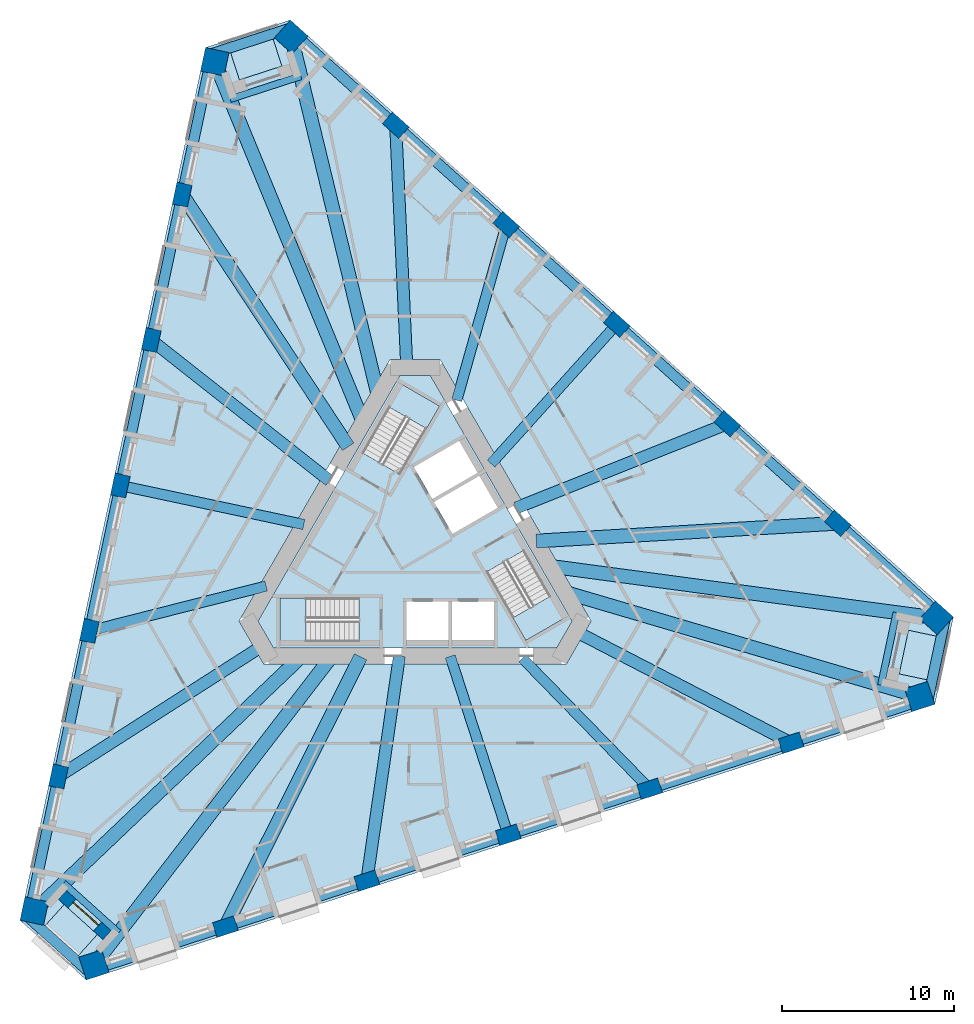
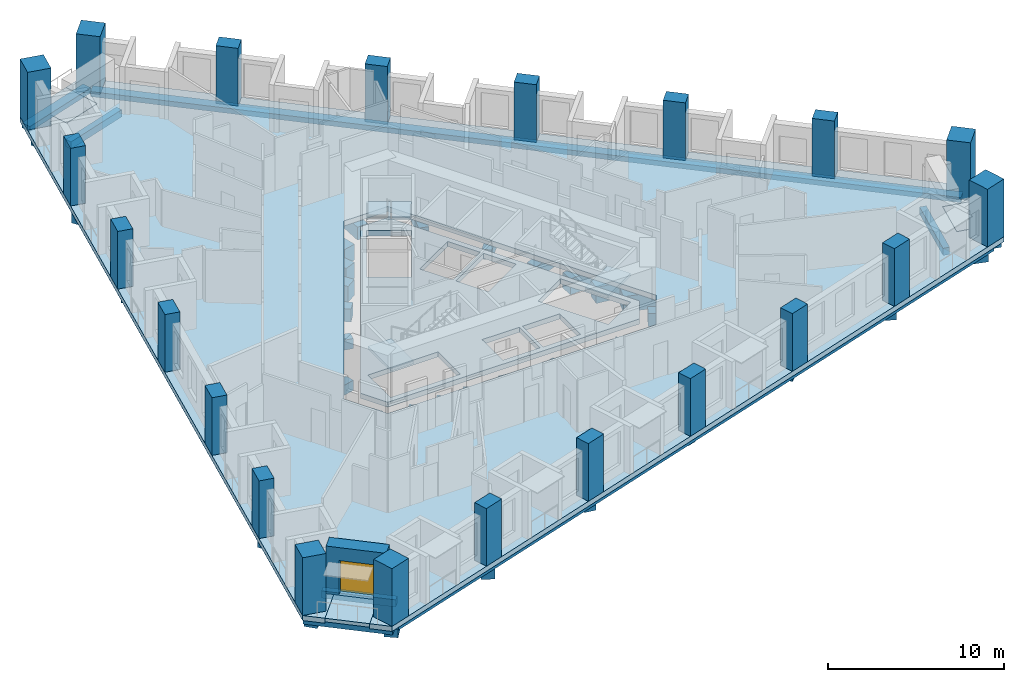
# One storey, part 1 of 13: 30 beams, 21 columns, 8 slabs, 1 door, 1 wall, 1 opening, 3 elements without a shape of their own.
"""IFC4 building model written with IfcOpenShell, lengths in metres."""

import ifcopenshell
import ifcopenshell.guid

model = None  # the IFC model being written
_history = None  # IfcOwnerHistory: only IFC2X3 demands one
_inside = {}  # id of a spatial element -> (the spatial element, [elements in it])
_under = {}  # id of a project, library or spatial element -> (it, [spatial elements below it])
_declared = {}  # id of a project -> (the project, [libraries it declares])
_typed = {}  # id of a type object -> (the type object, [elements of that type])
_made_of = {}  # id of a material, layer set ... -> (it, [elements and type objects made of it])


def new_model(schema):
    """Start an empty IFC model of exactly this schema.

    Asked for "IFC4X3", IfcOpenShell would pick the latest addendum, in which some entities
    have other attributes; the version numbers below select the first issue.
    IFC2X3 requires an IfcOwnerHistory on every rooted entity: one is made here for all.
    """
    global model, _history
    if schema == "IFC4X3":
        model = ifcopenshell.file(schema_version=(4, 3, 0, 0))
    else:
        model = ifcopenshell.file(schema=schema)
    _inside.clear()
    _under.clear()
    _declared.clear()
    _typed.clear()
    _made_of.clear()
    _history = None
    if model.schema == "IFC2X3":
        org = make("IfcOrganization", Name="unknown")
        user = make(
            "IfcPersonAndOrganization",
            ThePerson=make("IfcPerson", FamilyName="unknown"),
            TheOrganization=org,
        )
        app = make(
            "IfcApplication",
            ApplicationDeveloper=org,
            Version="unknown",
            ApplicationFullName="unknown",
            ApplicationIdentifier="unknown",
        )
        _history = make(
            "IfcOwnerHistory",
            OwningUser=user,
            OwningApplication=app,
            ChangeAction="ADDED",
            CreationDate=0,
        )
    return model


def make(cls, **values):
    """One entity of the class cls with the attributes given. An attribute that is None is left unset."""
    return model.create_entity(
        cls, **{name: value for name, value in values.items() if value is not None}
    )


def rooted(cls, **values):
    """An entity with a GlobalId (a new one), such as an element, a storey or a relation."""
    return make(cls, GlobalId=ifcopenshell.guid.new(), OwnerHistory=_history, **values)


def si_unit(unit_type, name, prefix=None):
    """IfcSIUnit, for example si_unit("LENGTHUNIT", "METRE", prefix="MILLI")."""
    return make("IfcSIUnit", UnitType=unit_type, Prefix=prefix, Name=name)


def assignment(units):
    """IfcUnitAssignment: the units of a project."""
    return None if units is None else make("IfcUnitAssignment", Units=units)


def point(xyz):
    """IfcCartesianPoint."""
    return None if xyz is None else make("IfcCartesianPoint", Coordinates=xyz)


def direction(xyz):
    """IfcDirection."""
    return None if xyz is None else make("IfcDirection", DirectionRatios=xyz)


def frame(location, z_axis=None, x_axis=None):
    """IfcAxis2Placement3D, a coordinate frame: its origin and axes. An axis left out is left unset."""
    return make(
        "IfcAxis2Placement3D",
        Location=point(location),
        Axis=direction(z_axis),
        RefDirection=direction(x_axis),
    )


def frame_2d(location, x_axis=None):
    """IfcAxis2Placement2D, a coordinate frame in the plane: its origin and x axis."""
    return make(
        "IfcAxis2Placement2D", Location=point(location), RefDirection=direction(x_axis)
    )


def origin():
    """The frame at (0, 0, 0) with its axes left unset."""
    return frame((0.0, 0.0, 0.0))


def origin_2d():
    """The frame at (0, 0) in the plane with its x axis left unset."""
    return frame_2d((0.0, 0.0))


def place(relative_to, where):
    """IfcLocalPlacement: puts the frame where relative to a parent placement (None: the world)."""
    return make(
        "IfcLocalPlacement", PlacementRelTo=relative_to, RelativePlacement=where
    )


def context(
    kind, dimensions, precision=None, world=None, true_north=None, identifier=None
):
    """IfcGeometricRepresentationContext, for example the 3D "Model" context."""
    return make(
        "IfcGeometricRepresentationContext",
        ContextIdentifier=identifier,
        ContextType=kind,
        CoordinateSpaceDimension=dimensions,
        Precision=precision,
        WorldCoordinateSystem=world,
        TrueNorth=true_north,
    )


def subcontext(parent, identifier, kind, view, scale=None):
    """IfcGeometricRepresentationSubContext, for example "Body" below "Model"."""
    return make(
        "IfcGeometricRepresentationSubContext",
        ContextIdentifier=identifier,
        ContextType=kind,
        ParentContext=parent,
        TargetScale=scale,
        TargetView=view,
    )


def project(units=None, contexts=None):
    """IfcProject with its units and contexts."""
    return rooted(
        "IfcProject",
        Name="project",
        RepresentationContexts=contexts,
        UnitsInContext=assignment(units),
    )


def spatial(cls, under=None, at=None, **own):
    """A site, building, storey or space (cls), placed at a placement, below another one or the project."""
    s = rooted(cls, ObjectPlacement=at, **own)
    if under is not None:
        _under.setdefault(under.id(), (under, []))[1].append(s)
    return s


def polyline(points):
    """IfcPolyline through the points."""
    return make("IfcPolyline", Points=[point(p) for p in points])


def profile(cls, at=None, kind="AREA", **sizes):
    """A parametric profile (cls). Its sizes go by their IFC names, for example OverallWidth=200.0."""
    return make(cls, ProfileType=kind, Position=at, **sizes)


def rectangle(**sizes):
    """IfcRectangleProfileDef."""
    return profile("IfcRectangleProfileDef", **sizes)


def outline(outer, holes=None, kind="AREA"):
    """IfcArbitraryClosedProfileDef: a profile drawn as a closed curve; with holes, ...WithVoids."""
    if holes is None:
        return make("IfcArbitraryClosedProfileDef", ProfileType=kind, OuterCurve=outer)
    return make(
        "IfcArbitraryProfileDefWithVoids",
        ProfileType=kind,
        OuterCurve=outer,
        InnerCurves=holes,
    )


def extrude(swept, where, along, depth):
    """IfcExtrudedAreaSolid: the profile swept, set in the frame where, extruded along a direction by depth."""
    return make(
        "IfcExtrudedAreaSolid",
        SweptArea=swept,
        Position=where,
        ExtrudedDirection=direction(along),
        Depth=depth,
    )


def shape(context_of_items, identifier, shape_type, items):
    """IfcShapeRepresentation: the items that make up one representation, for example the "Body"."""
    return make(
        "IfcShapeRepresentation",
        ContextOfItems=context_of_items,
        RepresentationIdentifier=identifier,
        RepresentationType=shape_type,
        Items=items,
    )


def material(Name=None, Category=None):
    """IfcMaterial."""
    return make("IfcMaterial", Name=Name, Category=Category)


def layer(
    of_material, thickness, ventilated=None, Name=None, Category=None, Priority=None
):
    """IfcMaterialLayer: one layer of a wall or slab, of a material (None: an air gap)."""
    return make(
        "IfcMaterialLayer",
        Material=of_material,
        LayerThickness=thickness,
        IsVentilated=ventilated,
        Name=Name,
        Category=Category,
        Priority=Priority,
    )


def layer_set(layers, Name=None):
    """IfcMaterialLayerSet."""
    return make("IfcMaterialLayerSet", MaterialLayers=layers, LayerSetName=Name)


def material_profile(
    of_material, cross_section, Name=None, Category=None, Priority=None
):
    """IfcMaterialProfile: a cross section and its material."""
    return make(
        "IfcMaterialProfile",
        Name=Name,
        Material=of_material,
        Profile=cross_section,
        Priority=Priority,
        Category=Category,
    )


def profile_set(profiles, Name=None, composite=None):
    """IfcMaterialProfileSet."""
    return make(
        "IfcMaterialProfileSet",
        Name=Name,
        MaterialProfiles=profiles,
        CompositeProfile=composite,
    )


def made_of(thing, what):
    """Note that an element or type object is made of a material, layer set ...; save() writes the relation."""
    if what is not None:
        _made_of.setdefault(what.id(), (what, []))[1].append(thing)
    return thing


def type_object(cls, material=None, **own):
    """A type object (cls), such as IfcWallType, which elements share."""
    return made_of(rooted(cls, **own), material)


def element(
    cls,
    number,
    at=None,
    inside=None,
    cuts=None,
    type_object=None,
    material=None,
    context=None,
    identifier="Body",
    shape_type=None,
    held_by="IfcProductDefinitionShape",
    body=None,
    shapes=None,
    **own,
):
    """One element of the class cls, such as IfcWall. Its Tag is "e" and its number.

    at: its placement. inside: the storey or other place that contains it. cuts: it is an
    opening in that element (IfcRelVoidsElement). A single representation is given by context,
    identifier, shape_type and body (its items); several are given by shapes. held_by: the class
    of the entity that holds the representations. save() writes the other relations.
    """
    e = rooted(cls, Tag="e%d" % number, ObjectPlacement=at, **own)
    if body is not None:
        shapes = [shape(context, identifier, shape_type, body)]
    if shapes is not None:
        e.Representation = make(held_by, Representations=shapes)
    if inside is not None:
        _inside.setdefault(inside.id(), (inside, []))[1].append(e)
    if cuts is not None:
        rooted(
            "IfcRelVoidsElement", RelatingBuildingElement=cuts, RelatedOpeningElement=e
        )
    if type_object is not None:
        _typed.setdefault(type_object.id(), (type_object, []))[1].append(e)
    return made_of(e, material)


def fill(opening, filler):
    """IfcRelFillsElement: the door or window that sits in an opening."""
    return rooted(
        "IfcRelFillsElement",
        RelatingOpeningElement=opening,
        RelatedBuildingElement=filler,
    )


def aggregate(whole, parts):
    """IfcRelAggregates: a whole, such as a stair, and the parts it consists of."""
    return rooted("IfcRelAggregates", RelatingObject=whole, RelatedObjects=parts)


def save(model, path):
    """Write the relations noted so far, then the file.

    IfcRelAggregates (storeys below a building ...), IfcRelContainedInSpatialStructure (elements
    in a storey), IfcRelDefinesByType, IfcRelAssociatesMaterial and IfcRelDeclares: one each for
    every whole, place, type object, material and project.
    """
    for whole, parts in _under.values():
        aggregate(whole, parts)
    for where, things in _inside.values():
        rooted(
            "IfcRelContainedInSpatialStructure",
            RelatedElements=things,
            RelatingStructure=where,
        )
    for kind, things in _typed.values():
        rooted("IfcRelDefinesByType", RelatedObjects=things, RelatingType=kind)
    for what, things in _made_of.values():
        rooted("IfcRelAssociatesMaterial", RelatedObjects=things, RelatingMaterial=what)
    for by, libraries in _declared.values():
        rooted("IfcRelDeclares", RelatingContext=by, RelatedDefinitions=libraries)
    model.write(path)


model = new_model("IFC4")

# Units and contexts
model_context = context("Model", 3, precision=1e-05, world=origin(), true_north=direction((0.0, 1.0)))
body_context = subcontext(model_context, "Body", "Model", "MODEL_VIEW")
ifc_project = project(units=[si_unit("LENGTHUNIT", "METRE"), si_unit("AREAUNIT", "SQUARE_METRE"), si_unit("VOLUMEUNIT", "CUBIC_METRE"), si_unit("PLANEANGLEUNIT", "RADIAN"), si_unit("MASSUNIT", "GRAM", prefix="KILO")], contexts=[model_context])

# Site, building, storey
site_placement = place(None, origin())
site = spatial("IfcSite", under=ifc_project, at=site_placement, CompositionType="ELEMENT")
building_placement = place(site_placement, origin())
building = spatial("IfcBuilding", under=site, at=building_placement, Name="Tramontana Tower", CompositionType="ELEMENT")
storey_placement = place(building_placement, frame((0.0, 0.0, 108.39990234375)))
storey = spatial("IfcBuildingStorey", under=building, at=storey_placement, Name="L24", CompositionType="ELEMENT", Elevation=108.39990234375)

# Columns
ifc_material_1 = material(Name="Concrete 70 MPa", Category="concrete")
ifc_material_profile_1 = material_profile(ifc_material_1, rectangle(XDim=1.39990234375, YDim=1.39990234375, at=origin_2d()), Name="Mega column 1400X1400 70 MPa")
ifc_profile_set_1 = profile_set([ifc_material_profile_1], Name="Concrete 70 MPa")
column_type_1 = type_object("IfcColumnType", Name="Mega column 1400X1400 70 MPa", PredefinedType="COLUMN", material=ifc_profile_set_1)
for number, where, z_axis, x_axis, name in (
    (1, (-11.665771484375, 28.3251953125, 0.0), (0.0, 0.0, 1.0), (-0.207911690818, -0.978147600734, 0.0), "Mega column C2K1 L24"),
    (2, (-22.17822265625, -21.13134765625, 0.0), (0.0, 0.0, 1.0), (-0.207911690818, -0.978147600734, 0.0), "Mega column C2K2 L24"),
    (3, (-18.697509765625, -24.265380859375, 0.0), (0.0, 0.0, 1.0), (0.951056516295, 0.309016994375, 0.0), "Mega column C2K3 L24"),
    (4, (29.389404296875, -8.64111328125, 0.0), (0.0, 0.0, 1.0), (0.951056516295, 0.309016994375, 0.0), "Mega column C2K4 L24"),
    (5, (30.36328125, -4.059814453125, 0.0), (0.0, 0.0, 1.0), (-0.743144825477, 0.669130606359, 0.0), "Mega column C2K5 L24"),
    (6, (-7.21142578125, 29.7724609375, 0.0), (0.0, 0.0, 1.0), (-0.743144825477, 0.669130606359, 0.0), "Mega column C2K6 L24"),
):
    element("IfcColumn", number, at=place(storey_placement, frame(where, z_axis=z_axis, x_axis=x_axis)), inside=storey, type_object=column_type_1, Name=name, PredefinedType="COLUMN", context=body_context, shape_type="SweptSolid", body=[
        extrude(rectangle(XDim=1.39990234375, YDim=1.39990234375, at=origin_2d()), origin(), (0.0, 0.0, 1.0), 4.0),
    ])
ifc_material_2 = material(Name="Concrete 55 MPa", Category="concrete")
ifc_material_profile_2 = material_profile(ifc_material_2, rectangle(XDim=1.300048828125, YDim=0.89990234375, at=origin_2d()), Name="Pier column 1300X900 55 MPa")
ifc_profile_set_2 = profile_set([ifc_material_profile_2], Name="Concrete 55 MPa")
column_type_2 = type_object("IfcColumnType", Name="Pier column 1300X900 55 MPa", PredefinedType="COLUMN", material=ifc_profile_set_2)
for number, where, z_axis, x_axis, name in (
    (7, (-13.5654296875, 20.5908203125, 0.0), (0.0, 0.0, 1.0), (-0.207911690818, -0.978147600734, 0.0), "Pier column C2F01 L24"),
    (8, (-15.365966796875, 12.119873046875, 0.0), (0.0, 0.0, 1.0), (-0.207911690818, -0.978147600734, 0.0), "Pier column C2F02 L24"),
    (9, (-17.16650390625, 3.64892578125, 0.0), (0.0, 0.0, 1.0), (-0.207911690818, -0.978147600734, 0.0), "Pier column C2F03 L24"),
    (10, (-18.967041015625, -4.822265625, 0.0), (0.0, 0.0, 1.0), (-0.207911690818, -0.978147600734, 0.0), "Pier column C2F04 L24"),
    (11, (-20.767578125, -13.293212890625, 0.0), (0.0, 0.0, 1.0), (-0.207911690818, -0.978147600734, 0.0), "Pier column C2F05 L24"),
    (12, (-11.049560546875, -22.04345703125, 0.0), (0.0, 0.0, 1.0), (0.951056516295, 0.309016994375, 0.0), "Pier column C2F06 L24"),
    (13, (-2.813232421875, -19.3671875, 0.0), (0.0, 0.0, 1.0), (0.951056516295, 0.309016994375, 0.0), "Pier column C2F07 L24"),
    (14, (5.42333984375, -16.691162109375, 0.0), (0.0, 0.0, 1.0), (0.951056516295, 0.309016994375, 0.0), "Pier column C2F08 L24"),
    (15, (13.65966796875, -14.014892578125, 0.0), (0.0, 0.0, 1.0), (0.951056516295, 0.309016994375, 0.0), "Pier column C2F09 L24"),
    (16, (21.89599609375, -11.338623046875, 0.0), (0.0, 0.0, 1.0), (0.951056516295, 0.309016994375, 0.0), "Pier column C2F10 L24"),
    (17, (24.614990234375, 1.452392578125, 0.0), (0.0, 0.0, 1.0), (-0.743144825477, 0.669130606359, 0.0), "Pier column C2F11 L24"),
    (18, (18.178955078125, 7.247314453125, 0.0), (0.0, 0.0, 1.0), (-0.743144825477, 0.669130606359, 0.0), "Pier column C2F12 L24"),
    (19, (11.7431640625, 13.042236328125, 0.0), (0.0, 0.0, 1.0), (-0.743144825477, 0.669130606359, 0.0), "Pier column C2F13 L24"),
    (20, (5.307373046875, 18.8369140625, 0.0), (0.0, 0.0, 1.0), (-0.743144825477, 0.669130606359, 0.0), "Pier column C2F14 L24"),
    (21, (-1.12841796875, 24.6318359375, 0.0), (0.0, 0.0, 1.0), (-0.743144825477, 0.669130606359, 0.0), "Pier column C2F15 L24"),
):
    element("IfcColumn", number, at=place(storey_placement, frame(where, z_axis=z_axis, x_axis=x_axis)), inside=storey, type_object=column_type_2, Name=name, PredefinedType="COLUMN", context=body_context, shape_type="SweptSolid", body=[
        extrude(rectangle(XDim=1.300048828125, YDim=0.89990234375, at=origin_2d()), origin(), (0.0, 0.0, 1.0), 4.0),
    ])

# Beams
ifc_material_3 = material(Name="Concrete 40 MPa", Category="concrete")
ifc_material_profile_3 = material_profile(ifc_material_3, rectangle(XDim=0.60009765625, YDim=0.35009765625, at=origin_2d()), Name="RC EDGE BEAM 600X350 40 MPa")
ifc_profile_set_3 = profile_set([ifc_material_profile_3], Name="Concrete 40 MPa")
beam_type_1 = type_object("IfcBeamType", Name="RC EDGE BEAM 600X350 40 MPa", PredefinedType="SPANDREL", material=ifc_profile_set_3)
beam_1_placement = place(storey_placement, frame((-11.910400390625, 28.377197265625, -0.52490234375), z_axis=(-0.207908708796, -0.978148234577, 0.0), x_axis=(0.978148234577, -0.207908708796, 0.0)))
element("IfcBeam", 22, at=beam_1_placement, inside=storey, type_object=beam_type_1, Name="Spandrel beam S0 L24", PredefinedType="SPANDREL", context=body_context, shape_type="SweptSolid", body=[
    extrude(rectangle(XDim=0.60009765625, YDim=0.35009765625, at=origin_2d()), origin(), (0.0, 0.0, 1.0), 50.561767578125),
])
beam_2_placement = place(storey_placement, frame((-18.6201171875, -24.503173828125, -0.52490234375), z_axis=(0.95105720178, 0.309014884661, 0.0), x_axis=(-0.309014884661, 0.95105720178, 0.0)))
element("IfcBeam", 23, at=beam_2_placement, inside=storey, type_object=beam_type_1, Name="Spandrel beam S1 L24", PredefinedType="SPANDREL", context=body_context, shape_type="SweptSolid", body=[
    extrude(rectangle(XDim=0.60009765625, YDim=0.35009765625, at=origin_2d()), origin(), (0.0, 0.0, 1.0), 50.5615234375),
])
beam_3_placement = place(storey_placement, frame((30.530517578125, -3.873779296875, -0.52490234375), z_axis=(-0.743146468863, 0.66912878119, 0.0), x_axis=(-0.66912878119, -0.743146468863, 0.0)))
element("IfcBeam", 24, at=beam_3_placement, inside=storey, type_object=beam_type_1, Name="Spandrel beam S2 L24", PredefinedType="SPANDREL", context=body_context, shape_type="SweptSolid", body=[
    extrude(rectangle(XDim=0.60009765625, YDim=0.35009765625, at=origin_2d()), origin(), (0.0, 0.0, 1.0), 50.561279296875),
])
beam_4_placement = place(storey_placement, frame((-7.1240234375, 30.333251953125, -0.52490234375), z_axis=(-0.951056854477, -0.309015953557, 0.0), x_axis=(0.309015953557, -0.951056854477, 0.0)))
element("IfcBeam", 25, at=beam_4_placement, inside=storey, type_object=beam_type_1, Name="Spandrel beam K0 L24", PredefinedType="SPANDREL", context=body_context, shape_type="SweptSolid", body=[
    extrude(rectangle(XDim=0.60009765625, YDim=0.35009765625, at=origin_2d()), origin(), (0.0, 0.0, 1.0), 5.1962890625),
])
beam_5_placement = place(storey_placement, frame((-22.707275390625, -21.336181640625, -0.52490234375), z_axis=(0.743160964229, -0.669112682025, 0.0), x_axis=(0.669112682025, 0.743160964229, 0.0)))
element("IfcBeam", 26, at=beam_5_placement, inside=storey, type_object=beam_type_1, Name="Spandrel beam K1 L24", PredefinedType="SPANDREL", context=body_context, shape_type="SweptSolid", body=[
    extrude(rectangle(XDim=0.60009765625, YDim=0.35009765625, at=origin_2d()), origin(), (0.0, 0.0, 1.0), 5.196044921875),
])
beam_6_placement = place(storey_placement, frame((29.831298828125, -8.9970703125, -0.52490234375), z_axis=(0.207902023431, 0.97814965555, 0.0), x_axis=(-0.97814965555, 0.207902023431, 0.0)))
element("IfcBeam", 27, at=beam_6_placement, inside=storey, type_object=beam_type_1, Name="Spandrel beam K2 L24", PredefinedType="SPANDREL", context=body_context, shape_type="SweptSolid", body=[
    extrude(rectangle(XDim=0.60009765625, YDim=0.35009765625, at=origin_2d()), origin(), (0.0, 0.0, 1.0), 5.1962890625),
])
ifc_material_4 = material(Name="Concrete 40 MPa", Category="concrete")
ifc_material_profile_4 = material_profile(ifc_material_4, rectangle(XDim=0.60009765625, YDim=0.699951171875, at=origin_2d()), Name="RC GIRDER 600X700 40 MPa")
ifc_profile_set_4 = profile_set([ifc_material_profile_4], Name="Concrete 40 MPa")
beam_type_2 = type_object("IfcBeamType", Name="RC GIRDER 600X700 40 MPa", PredefinedType="BEAM", material=ifc_profile_set_4)
beam_7_placement = place(storey_placement, frame((-17.16650390625, 3.64892578125, -0.699951171875), z_axis=(0.978147322784, -0.207912998466, 0.0), x_axis=(0.207912998466, 0.978147322784, 0.0)))
element("IfcBeam", 28, at=beam_7_placement, inside=storey, type_object=beam_type_2, Name="Radial girder C2F03 L24", PredefinedType="BEAM", context=body_context, shape_type="SweptSolid", body=[
    extrude(rectangle(XDim=0.60009765625, YDim=0.699951171875, at=origin_2d()), origin(), (0.0, 0.0, 1.0), 10.927490234375),
])
beam_8_placement = place(storey_placement, frame((-18.967041015625, -4.822265625, -0.699951171875), z_axis=(0.969167879742, 0.24640134106, 0.0), x_axis=(-0.24640134106, 0.969167879742, 0.0)))
element("IfcBeam", 29, at=beam_8_placement, inside=storey, type_object=beam_type_2, Name="Radial girder C2F04 L24", PredefinedType="BEAM", context=body_context, shape_type="SweptSolid", body=[
    extrude(rectangle(XDim=0.60009765625, YDim=0.699951171875, at=origin_2d()), origin(), (0.0, 0.0, 1.0), 10.61962890625),
])
beam_9_placement = place(storey_placement, frame((5.423095703125, -16.69091796875, -0.699951171875), z_axis=(-0.309006757929, 0.951059842257, 0.0), x_axis=(-0.951059842257, -0.309006757929, 0.0)))
element("IfcBeam", 30, at=beam_9_placement, inside=storey, type_object=beam_type_2, Name="Radial girder C2F08 L24", PredefinedType="BEAM", context=body_context, shape_type="SweptSolid", body=[
    extrude(rectangle(XDim=0.60009765625, YDim=0.699951171875, at=origin_2d()), origin(), (0.0, 0.0, 1.0), 10.927734375),
])
beam_10_placement = place(storey_placement, frame((13.65966796875, -14.014892578125, -0.699951171875), z_axis=(-0.697979323515, 0.716117912041, 0.0), x_axis=(-0.716117912041, -0.697979323515, 0.0)))
element("IfcBeam", 31, at=beam_10_placement, inside=storey, type_object=beam_type_2, Name="Radial girder C2F09 L24", PredefinedType="BEAM", context=body_context, shape_type="SweptSolid", body=[
    extrude(rectangle(XDim=0.60009765625, YDim=0.699951171875, at=origin_2d()), origin(), (0.0, 0.0, 1.0), 10.61962890625),
])
beam_11_placement = place(storey_placement, frame((11.7431640625, 13.042236328125, -0.699951171875), z_axis=(-0.669128882364, -0.743146377766, 0.0), x_axis=(0.743146377766, -0.669128882364, 0.0)))
element("IfcBeam", 32, at=beam_11_placement, inside=storey, type_object=beam_type_2, Name="Radial girder C2F13 L24", PredefinedType="BEAM", context=body_context, shape_type="SweptSolid", body=[
    extrude(rectangle(XDim=0.60009765625, YDim=0.699951171875, at=origin_2d()), origin(), (0.0, 0.0, 1.0), 10.927734375),
])
beam_12_placement = place(storey_placement, frame((5.307373046875, 18.8369140625, -0.699951171875), z_axis=(-0.271184951147, -0.962527257937, 0.0), x_axis=(0.962527257937, -0.271184951147, 0.0)))
element("IfcBeam", 33, at=beam_12_placement, inside=storey, type_object=beam_type_2, Name="Radial girder C2F14 L24", PredefinedType="BEAM", context=body_context, shape_type="SweptSolid", body=[
    extrude(rectangle(XDim=0.60009765625, YDim=0.699951171875, at=origin_2d()), origin(), (0.0, 0.0, 1.0), 10.61962890625),
])
ifc_material_5 = material(Name="Concrete 40 MPa", Category="concrete")
ifc_material_profile_5 = material_profile(ifc_material_5, rectangle(XDim=0.699951171875, YDim=0.89990234375, at=origin_2d()), Name="RC GIRDER 700X900 40 MPa")
ifc_profile_set_5 = profile_set([ifc_material_profile_5], Name="Concrete 40 MPa")
beam_type_3 = type_object("IfcBeamType", Name="RC GIRDER 700X900 40 MPa", PredefinedType="BEAM", material=ifc_profile_set_5)
beam_13_placement = place(storey_placement, frame((-15.365966796875, 12.119873046875, -0.7998046875), z_axis=(0.785161962565, -0.619290475093, 0.0), x_axis=(0.619290475093, 0.785161962565, 0.0)))
element("IfcBeam", 34, at=beam_13_placement, inside=storey, type_object=beam_type_3, Name="Radial girder C2F02 L24", PredefinedType="BEAM", context=body_context, shape_type="SweptSolid", body=[
    extrude(rectangle(XDim=0.699951171875, YDim=0.89990234375, at=origin_2d()), origin(), (0.0, 0.0, 1.0), 13.224609375),
])
beam_14_placement = place(storey_placement, frame((-20.767578125, -13.293212890625, -0.7998046875), z_axis=(0.842236860049, 0.539107662323, 0.0), x_axis=(-0.539107662323, 0.842236860049, 0.0)))
element("IfcBeam", 35, at=beam_14_placement, inside=storey, type_object=beam_type_3, Name="Radial girder C2F05 L24", PredefinedType="BEAM", context=body_context, shape_type="SweptSolid", body=[
    extrude(rectangle(XDim=0.699951171875, YDim=0.89990234375, at=origin_2d()), origin(), (0.0, 0.0, 1.0), 14.12109375),
])
beam_15_placement = place(storey_placement, frame((-2.81298828125, -19.3671875, -0.7998046875), z_axis=(0.143736706845, 0.989615965466, 0.0), x_axis=(-0.989615965466, 0.143736706845, 0.0)))
element("IfcBeam", 36, at=beam_15_placement, inside=storey, type_object=beam_type_3, Name="Radial girder C2F07 L24", PredefinedType="BEAM", context=body_context, shape_type="SweptSolid", body=[
    extrude(rectangle(XDim=0.699951171875, YDim=0.89990234375, at=origin_2d()), origin(), (0.0, 0.0, 1.0), 13.224609375),
])
beam_16_placement = place(storey_placement, frame((21.89599609375, -11.338623046875, -0.7998046875), z_axis=(-0.88800272981, 0.45983818007, 0.0), x_axis=(-0.45983818007, -0.88800272981, 0.0)))
element("IfcBeam", 37, at=beam_16_placement, inside=storey, type_object=beam_type_3, Name="Radial girder C2F10 L24", PredefinedType="BEAM", context=body_context, shape_type="SweptSolid", body=[
    extrude(rectangle(XDim=0.699951171875, YDim=0.89990234375, at=origin_2d()), origin(), (0.0, 0.0, 1.0), 14.12109375),
])
beam_17_placement = place(storey_placement, frame((18.17919921875, 7.247314453125, -0.7998046875), z_axis=(-0.928907671919, -0.370311405509, 0.0), x_axis=(0.370311405509, -0.928907671919, 0.0)))
element("IfcBeam", 38, at=beam_17_placement, inside=storey, type_object=beam_type_3, Name="Radial girder C2F12 L24", PredefinedType="BEAM", context=body_context, shape_type="SweptSolid", body=[
    extrude(rectangle(XDim=0.699951171875, YDim=0.89990234375, at=origin_2d()), origin(), (0.0, 0.0, 1.0), 13.224609375),
])
beam_18_placement = place(storey_placement, frame((-1.12841796875, 24.6318359375, -0.7998046875), z_axis=(0.045763702309, -0.99895229293, 0.0), x_axis=(0.99895229293, 0.045763702309, 0.0)))
element("IfcBeam", 39, at=beam_18_placement, inside=storey, type_object=beam_type_3, Name="Radial girder C2F15 L24", PredefinedType="BEAM", context=body_context, shape_type="SweptSolid", body=[
    extrude(rectangle(XDim=0.699951171875, YDim=0.89990234375, at=origin_2d()), origin(), (0.0, 0.0, 1.0), 14.121337890625),
])
ifc_material_6 = material(Name="Concrete 40 MPa", Category="concrete")
ifc_material_profile_6 = material_profile(ifc_material_6, rectangle(XDim=0.800048828125, YDim=1.10009765625, at=origin_2d()), Name="RC GIRDER 800X1100 40 MPa")
ifc_profile_set_6 = profile_set([ifc_material_profile_6], Name="Concrete 40 MPa")
beam_type_4 = type_object("IfcBeamType", Name="RC GIRDER 800X1100 40 MPa", PredefinedType="BEAM", material=ifc_profile_set_6)
beam_19_placement = place(storey_placement, frame((-11.665771484375, 28.3251953125, -0.89990234375), z_axis=(0.380819934235, -0.924649218725, 0.0), x_axis=(0.924649218725, 0.380819934235, 0.0)))
element("IfcBeam", 40, at=beam_19_placement, inside=storey, type_object=beam_type_4, Name="Radial girder C2K1 L24", PredefinedType="BEAM", context=body_context, shape_type="SweptSolid", body=[
    extrude(rectangle(XDim=0.800048828125, YDim=1.10009765625, at=origin_2d()), origin(), (0.0, 0.0, 1.0), 22.5869140625),
])
beam_20_placement = place(storey_placement, frame((-13.5654296875, 20.5908203125, -0.89990234375), z_axis=(0.550154503281, -0.835062885368, 0.0), x_axis=(0.835062885368, 0.550154503281, 0.0)))
element("IfcBeam", 41, at=beam_20_placement, inside=storey, type_object=beam_type_4, Name="Radial girder C2F01 L24", PredefinedType="BEAM", context=body_context, shape_type="SweptSolid", body=[
    extrude(rectangle(XDim=0.800048828125, YDim=1.10009765625, at=origin_2d()), origin(), (0.0, 0.0, 1.0), 17.58203125),
])
beam_21_placement = place(storey_placement, frame((-22.177978515625, -21.13134765625, -0.89990234375), z_axis=(0.723983254275, 0.689817546551, 0.0), x_axis=(-0.689817546551, 0.723983254275, 0.0)))
element("IfcBeam", 42, at=beam_21_placement, inside=storey, type_object=beam_type_4, Name="Radial girder C2K2 L24", PredefinedType="BEAM", context=body_context, shape_type="SweptSolid", body=[
    extrude(rectangle(XDim=0.800048828125, YDim=1.10009765625, at=origin_2d()), origin(), (0.0, 0.0, 1.0), 21.322998046875),
])
beam_22_placement = place(storey_placement, frame((-18.697509765625, -24.265380859375, -0.89990234375), z_axis=(0.610367161523, 0.792118632614, 0.0), x_axis=(-0.792118632614, 0.610367161523, 0.0)))
element("IfcBeam", 43, at=beam_22_placement, inside=storey, type_object=beam_type_4, Name="Radial girder C2K3 L24", PredefinedType="BEAM", context=body_context, shape_type="SweptSolid", body=[
    extrude(rectangle(XDim=0.800048828125, YDim=1.10009765625, at=origin_2d()), origin(), (0.0, 0.0, 1.0), 22.5869140625),
])
beam_23_placement = place(storey_placement, frame((-11.049560546875, -22.04345703125, -0.89990234375), z_axis=(0.448118712833, 0.893974059584, 0.0), x_axis=(-0.893974059584, 0.448118712833, 0.0)))
element("IfcBeam", 44, at=beam_23_placement, inside=storey, type_object=beam_type_4, Name="Radial girder C2F06 L24", PredefinedType="BEAM", context=body_context, shape_type="SweptSolid", body=[
    extrude(rectangle(XDim=0.800048828125, YDim=1.10009765625, at=origin_2d()), origin(), (0.0, 0.0, 1.0), 17.582275390625),
])
beam_24_placement = place(storey_placement, frame((29.389404296875, -8.64111328125, -0.89990234375), z_axis=(-0.959390293023, 0.282082019372, 0.0), x_axis=(-0.282082019372, -0.959390293023, 0.0)))
element("IfcBeam", 45, at=beam_24_placement, inside=storey, type_object=beam_type_4, Name="Radial girder C2K4 L24", PredefinedType="BEAM", context=body_context, shape_type="SweptSolid", body=[
    extrude(rectangle(XDim=0.800048828125, YDim=1.10009765625, at=origin_2d()), origin(), (0.0, 0.0, 1.0), 21.3232421875),
])
beam_25_placement = place(storey_placement, frame((30.36328125, -4.059814453125, -0.89990234375), z_axis=(-0.99117940686, 0.132526915819, 0.0), x_axis=(-0.132526915819, -0.99117940686, 0.0)))
element("IfcBeam", 46, at=beam_25_placement, inside=storey, type_object=beam_type_4, Name="Radial girder C2K5 L24", PredefinedType="BEAM", context=body_context, shape_type="SweptSolid", body=[
    extrude(rectangle(XDim=0.800048828125, YDim=1.10009765625, at=origin_2d()), origin(), (0.0, 0.0, 1.0), 22.587158203125),
])
beam_26_placement = place(storey_placement, frame((24.614990234375, 1.452392578125, -0.89990234375), z_axis=(-0.998263727152, -0.058902725346, 0.0), x_axis=(0.058902725346, -0.998263727152, 0.0)))
element("IfcBeam", 47, at=beam_26_placement, inside=storey, type_object=beam_type_4, Name="Radial girder C2F11 L24", PredefinedType="BEAM", context=body_context, shape_type="SweptSolid", body=[
    extrude(rectangle(XDim=0.800048828125, YDim=1.10009765625, at=origin_2d()), origin(), (0.0, 0.0, 1.0), 17.582275390625),
])
beam_27_placement = place(storey_placement, frame((-7.211181640625, 29.7724609375, -0.89990234375), z_axis=(0.235403401789, -0.971897751014, 0.0), x_axis=(0.971897751014, 0.235403401789, 0.0)))
element("IfcBeam", 48, at=beam_27_placement, inside=storey, type_object=beam_type_4, Name="Radial girder C2K6 L24", PredefinedType="BEAM", context=body_context, shape_type="SweptSolid", body=[
    extrude(rectangle(XDim=0.800048828125, YDim=1.10009765625, at=origin_2d()), origin(), (0.0, 0.0, 1.0), 21.322998046875),
])
ifc_material_7 = material(Name="Concrete 40 MPa", Category="concrete")
ifc_material_profile_7 = material_profile(ifc_material_7, rectangle(XDim=0.39990234375, YDim=0.5, at=origin_2d()), Name="RC TRIM BEAM 400X500 40 MPa")
ifc_profile_set_7 = profile_set([ifc_material_profile_7], Name="Concrete 40 MPa")
beam_type_5 = type_object("IfcBeamType", Name="RC TRIM BEAM 400X500 40 MPa", PredefinedType="JOIST", material=ifc_profile_set_7)
for number, where, z_axis, x_axis, name in (
    (49, (-6.657958984375, 27.48779296875, -0.599853515625), (-0.951061034198, -0.309003089354, 0.0), (0.309003089354, -0.951061034198, 0.0), "Trimmer beam K0 L24"),
    (50, (-20.476318359375, -19.510009765625, -0.599853515625), (0.743173417356, -0.669098850496, 0.0), (0.669098850496, 0.743173417356, 0.0), "Trimmer beam K1 L24"),
    (51, (27.13427734375, -7.97802734375, -0.599853515625), (0.207882389407, 0.978153828482, 0.0), (-0.978153828482, 0.207882389407, 0.0), "Trimmer beam K2 L24"),
):
    element("IfcBeam", number, at=place(storey_placement, frame(where, z_axis=z_axis, x_axis=x_axis)), inside=storey, type_object=beam_type_5, Name=name, PredefinedType="JOIST", context=body_context, shape_type="SweptSolid", body=[
        extrude(rectangle(XDim=0.39990234375, YDim=0.5, at=origin_2d()), origin(), (0.0, 0.0, 1.0), 4.32421875),
    ])

# Slabs
ifc_material_8 = material(Name="Precast concrete 50 MPa", Category="concrete")
ifc_layer_1 = layer(ifc_material_8, 0.25)
ifc_layer_set_1 = layer_set([ifc_layer_1], Name="LT1 Loggia floor tray 250")
slab_type_1 = type_object("IfcSlabType", Name="LT1 Loggia floor tray 250", PredefinedType="FLOOR", material=ifc_layer_set_1)
slab_1_placement = place(storey_placement, frame((0.0, 0.0, -0.25)))
element("IfcSlab", 52, at=slab_1_placement, inside=storey, type_object=slab_type_1, Name="Corner loggia floor L24 K20", PredefinedType="FLOOR", context=body_context, shape_type="SweptSolid", body=[
    extrude(outline(polyline([(-8.49755859375, 30.360107421875), (-7.756103515625, 28.077392578125), (-10.228759765625, 27.27392578125), (-10.970458984375, 29.556640625), (-8.49755859375, 30.360107421875)])), origin(), (0.0, 0.0, 1.0), 0.25),
])
slab_2_placement = place(storey_placement, frame((0.0, 0.0, -0.25)))
element("IfcSlab", 53, at=slab_2_placement, inside=storey, type_object=slab_type_1, Name="Corner loggia floor L24 K21", PredefinedType="FLOOR", context=body_context, shape_type="SweptSolid", body=[
    extrude(outline(polyline([(-22.043701171875, -22.539306640625), (-20.437744140625, -20.755615234375), (-18.505615234375, -22.495361328125), (-20.111572265625, -24.279052734375), (-22.043701171875, -22.539306640625)])), origin(), (0.0, 0.0, 1.0), 0.25),
])
slab_3_placement = place(storey_placement, frame((0.0, 0.0, -0.25)))
element("IfcSlab", 54, at=slab_3_placement, inside=storey, type_object=slab_type_1, Name="Corner loggia floor L24 K22", PredefinedType="FLOOR", context=body_context, shape_type="SweptSolid", body=[
    extrude(outline(polyline([(30.541259765625, -7.82080078125), (28.19384765625, -7.32177734375), (28.734375, -4.778564453125), (31.08203125, -5.277587890625), (30.541259765625, -7.82080078125)])), origin(), (0.0, 0.0, 1.0), 0.25),
])
ifc_material_9 = material(Name="Concrete 40 MPa", Category="concrete")
ifc_layer_2 = layer(ifc_material_9, 0.35009765625)
ifc_layer_set_2 = layer_set([ifc_layer_2], Name="PT FLAT SLAB 350 40 MPa")
slab_type_2 = type_object("IfcSlabType", Name="PT FLAT SLAB 350 40 MPa", PredefinedType="FLOOR", material=ifc_layer_set_2)
slab_4_placement = place(storey_placement, frame((0.0, 0.0, -0.349853515625)))
element("IfcSlab", 55, at=slab_4_placement, inside=storey, type_object=slab_type_2, Name="Floor slab L24", PredefinedType="FLOOR", context=body_context, shape_type="SweptSolid", body=[
    extrude(outline(polyline([(31.081787109375, -5.277587890625), (28.734375, -4.778564453125), (28.19384765625, -7.32177734375), (30.54150390625, -7.82080078125), (30.271484375, -9.090576171875), (-19.14697265625, -25.1474609375), (-20.111572265625, -24.27880859375), (-18.505615234375, -22.495361328125), (-20.437744140625, -20.755615234375), (-22.043701171875, -22.539306640625), (-23.00830078125, -21.670654296875), (-12.205078125, 29.155517578125), (-10.970458984375, 29.556640625), (-10.228759765625, 27.27392578125), (-7.756103515625, 28.077392578125), (-8.497802734375, 30.360107421875), (-7.26318359375, 30.760986328125), (31.351806640625, -4.0078125), (31.081787109375, -5.277587890625)]), holes=[polyline([(-10.248046875, -4.25), (-8.8046875, -6.75), (8.8046875, -6.75), (10.248046875, -4.25), (1.443359375, 11.0), (-1.443359375, 11.0), (-10.248046875, -4.25)])]), origin(), (0.0, 0.0, 1.0), 0.349853515625),
])
slab_5_placement = place(storey_placement, frame((0.0, 0.0, -0.349853515625)))
element("IfcSlab", 56, at=slab_5_placement, inside=storey, type_object=slab_type_2, Name="Core floor slab L24", PredefinedType="FLOOR", context=body_context, shape_type="SweptSolid", body=[
    extrude(outline(polyline([(9.15087890625, -4.25), (8.256103515625, -5.800048828125), (-8.256103515625, -5.800048828125), (-9.15087890625, -4.25), (-0.89501953125, 10.050048828125), (0.89501953125, 10.050048828125), (9.15087890625, -4.25)]), holes=[polyline([(8.659912109375, -4.099365234375), (6.35986328125, -0.115478515625), (4.151611328125, -1.390625), (6.451416015625, -5.374267578125), (8.659912109375, -4.099365234375)]), polyline([(3.829833984375, 4.2666015625), (1.101806640625, 2.69140625), (2.177001953125, 0.82958984375), (4.90478515625, 2.404541015625), (3.829833984375, 4.2666015625)]), polyline([(4.590087890625, -3.10009765625), (2.139892578125, -3.10009765625), (2.139892578125, -5.449951171875), (4.590087890625, -5.449951171875), (4.590087890625, -3.10009765625)]), polyline([(2.65478515625, 6.3017578125), (-0.072998046875, 4.726806640625), (1.001953125, 2.86474609375), (3.729736328125, 4.439697265625), (2.65478515625, 6.3017578125)]), polyline([(1.93994140625, -5.449951171875), (1.93994140625, -3.10009765625), (-0.510009765625, -3.10009765625), (-0.510009765625, -5.449951171875), (1.93994140625, -5.449951171875)]), polyline([(-0.77978515625, 9.54931640625), (-3.079833984375, 5.565673828125), (-0.87158203125, 4.29052734375), (1.428466796875, 8.2744140625), (-0.77978515625, 9.54931640625)]), polyline([(-7.8798828125, -5.449951171875), (-3.280029296875, -5.449951171875), (-3.280029296875, -2.89990234375), (-7.8798828125, -2.89990234375), (-7.8798828125, -5.449951171875)])]), origin(), (0.0, 0.0, 1.0), 0.349853515625),
])

# Stair, slab
ifc_material_10 = material(Name="Concrete 40 MPa", Category="concrete")
stair_type = type_object("IfcStairType", Name="EXIT STAIR 24 RISERS", PredefinedType="HALF_TURN_STAIR", material=ifc_material_10)
stair_1_placement = place(storey_placement, origin())
stair_1 = element("IfcStair", 57, at=stair_1_placement, inside=storey, type_object=stair_type, Name="L24 Exit stair ST1", PredefinedType="HALF_TURN_STAIR")
ifc_material_11 = material(Name="Concrete 40 MPa", Category="concrete")
ifc_layer_3 = layer(ifc_material_11, 0.199951171875)
ifc_layer_set_3 = layer_set([ifc_layer_3], Name="STAIR LANDING 200")
slab_type_3 = type_object("IfcSlabType", Name="STAIR LANDING 200", PredefinedType="LANDING", material=ifc_layer_set_3)
slab_6_placement = place(storey_placement, frame((0.0, 0.0, 1.800048828125)))
slab_6 = element("IfcSlab", 58, at=slab_6_placement, type_object=slab_type_3, Name="ST1 landing 1", PredefinedType="LANDING", context=body_context, shape_type="SweptSolid", body=[
    extrude(outline(polyline([(0.66845703125, 6.9580078125), (1.428466796875, 8.274169921875), (-0.77978515625, 9.54931640625), (-1.539794921875, 8.23291015625), (0.66845703125, 6.9580078125)])), origin(), (0.0, 0.0, 1.0), 0.199951171875),
])
aggregate(stair_1, [slab_6])

stair_2_placement = place(storey_placement, origin())
stair_2 = element("IfcStair", 59, at=stair_2_placement, inside=storey, type_object=stair_type, Name="L24 Exit stair ST2", PredefinedType="HALF_TURN_STAIR")
slab_7_placement = place(storey_placement, frame((0.0, 0.0, 1.800048828125)))
slab_7 = element("IfcSlab", 60, at=slab_7_placement, type_object=slab_type_3, Name="ST2 landing 1", PredefinedType="LANDING", context=body_context, shape_type="SweptSolid", body=[
    extrude(outline(polyline([(-6.360107421875, -2.89990234375), (-7.8798828125, -2.89990234375), (-7.8798828125, -5.449951171875), (-6.360107421875, -5.449951171875), (-6.360107421875, -2.89990234375)])), origin(), (0.0, 0.0, 1.0), 0.199951171875),
])
aggregate(stair_2, [slab_7])

stair_3_placement = place(storey_placement, origin())
stair_3 = element("IfcStair", 61, at=stair_3_placement, inside=storey, type_object=stair_type, Name="L24 Exit stair ST3", PredefinedType="HALF_TURN_STAIR")
slab_8_placement = place(storey_placement, frame((0.0, 0.0, 1.800048828125)))
slab_8 = element("IfcSlab", 62, at=slab_8_placement, type_object=slab_type_3, Name="ST3 landing 1", PredefinedType="LANDING", context=body_context, shape_type="SweptSolid", body=[
    extrude(outline(polyline([(5.69140625, -4.057861328125), (6.451416015625, -5.374267578125), (8.659912109375, -4.099365234375), (7.89990234375, -2.782958984375), (5.69140625, -4.057861328125)])), origin(), (0.0, 0.0, 1.0), 0.199951171875),
])
aggregate(stair_3, [slab_8])

# Wall, opening, door
ifc_material_12 = material(Name="Precast concrete 60 MPa", Category="concrete")
ifc_layer_4 = layer(ifc_material_12, 0.89990234375)
ifc_layer_set_4 = layer_set([ifc_layer_4], Name="EW2 Stone-faced corner loggia wall 900")
wall_type = type_object("IfcWallType", Name="EW2 Stone-faced corner loggia wall 900", PredefinedType="SOLIDWALL", material=ifc_layer_set_4)
wall_placement = place(storey_placement, frame((-17.8701171875, -22.462158203125, 0.0), z_axis=(0.0, 0.0, 1.0), x_axis=(-0.743141519559, 0.669134277936, 0.0)))
wall = element("IfcWall", 63, at=wall_placement, inside=storey, type_object=wall_type, Name="Corner loggia wall L24 K21", PredefinedType="SOLIDWALL", context=body_context, shape_type="SweptSolid", body=[
    extrude(rectangle(XDim=3.5, YDim=0.89990234375, at=frame_2d((1.75, 0.0))), origin(), (0.0, 0.0, 1.0), 3.300048828125),
])
opening_placement = place(wall_placement, frame((0.75, 0.0, 0.0)))
opening = element("IfcOpeningElement", 64, at=opening_placement, cuts=wall, Name="Opening BD-21C", PredefinedType="OPENING", context=body_context, shape_type="SweptSolid", body=[
    extrude(rectangle(XDim=2.0, YDim=2.39990234375, at=frame_2d((1.0, 1.199951171875))), frame((0.0, 0.4599609375, 0.0), z_axis=(0.0, -1.0, 0.0), x_axis=(1.0, 0.0, 0.0)), (0.0, 0.0, 1.0), 0.919921875),
])
ifc_material_13 = material(Name="Aluminum frame, double glazing unit", Category="aluminium")
door_type = type_object("IfcDoorType", Name="BC1 Sliding door 2 x 2.4", OperationType="SLIDING_TO_LEFT", PredefinedType="DOOR", material=ifc_material_13)
door_placement = place(opening_placement, origin())
door = element("IfcDoor", 65, at=door_placement, inside=storey, type_object=door_type, Name="Corner loggia door L24 K21", OperationType="SLIDING_TO_LEFT", OverallHeight=2.39990234375, OverallWidth=2.0, PredefinedType="DOOR", context=body_context, shape_type="SweptSolid", body=[
    extrude(rectangle(XDim=2.0, YDim=2.39990234375, at=frame_2d((1.0, 1.199951171875))), frame((0.0, 0.02490234375, 0.0), z_axis=(0.0, -1.0, 0.0), x_axis=(1.0, 0.0, 0.0)), (0.0, 0.0, 1.0), 0.050048828125),
])
fill(opening, door)

save(model, "model.ifc")
